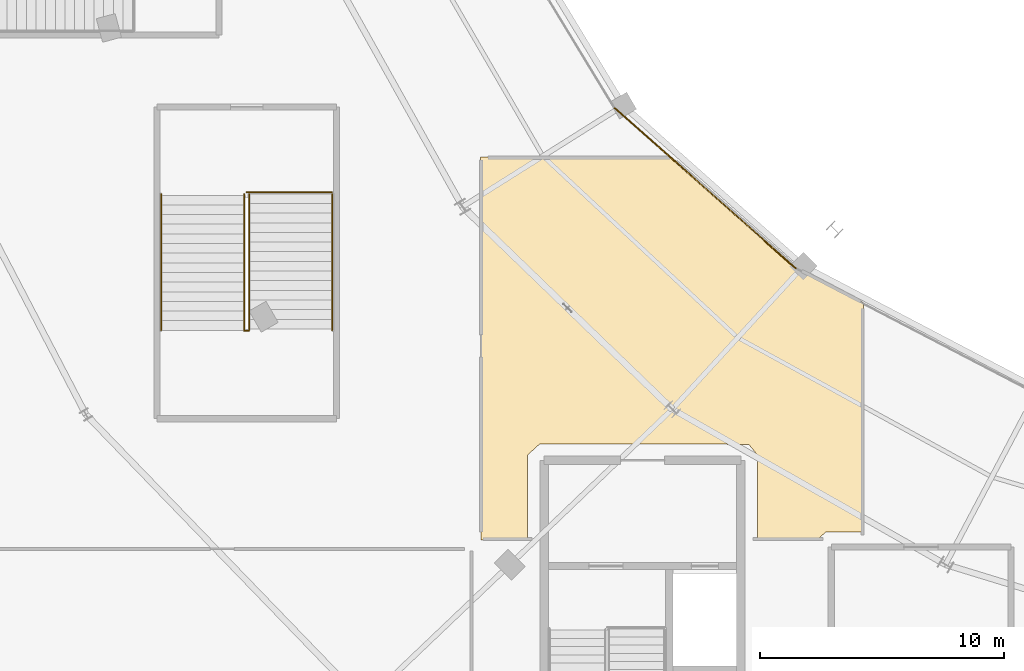
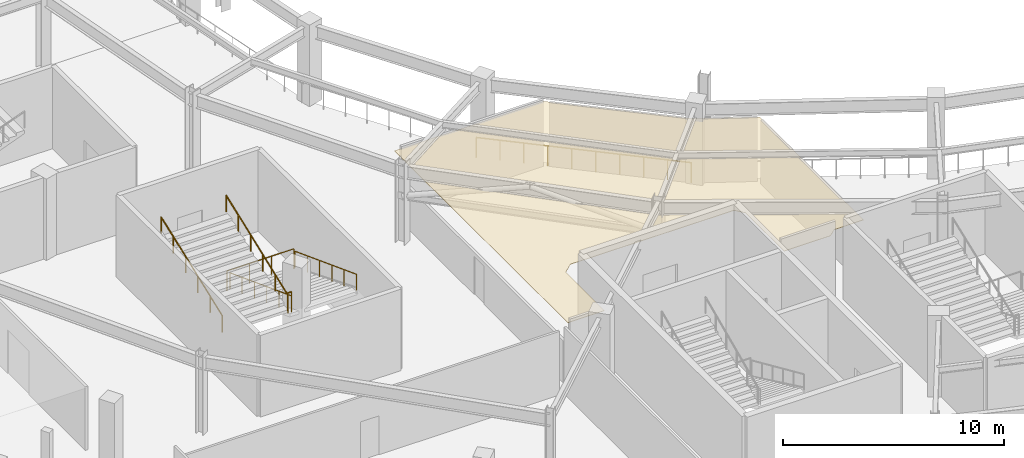
# One storey, part 90 of 107: 7 railings, 1 covering.
"""IFC4 building model written with IfcOpenShell, lengths in metres."""

from ifc_helpers import new_model, si_unit, direction, frame, origin, origin_2d, place, context, subcontext, project, spatial, polyline, circle, outline, extrude, material, layer, layer_set, type_object, element, save


model = new_model("IFC4")

# Units and contexts
model_context = context("Model", 3, precision=1e-05, world=origin(), true_north=direction((0.0, 1.0)))
body_context = subcontext(model_context, "Body", "Model", "MODEL_VIEW")
ifc_project = project(units=[si_unit("LENGTHUNIT", "METRE"), si_unit("AREAUNIT", "SQUARE_METRE"), si_unit("VOLUMEUNIT", "CUBIC_METRE"), si_unit("PLANEANGLEUNIT", "RADIAN"), si_unit("MASSUNIT", "GRAM", prefix="KILO")], contexts=[model_context])

# Site, building, storey
site_placement = place(None, origin())
site = spatial("IfcSite", under=ifc_project, at=site_placement, CompositionType="ELEMENT")
building_placement = place(site_placement, origin())
building = spatial("IfcBuilding", under=site, at=building_placement, Name="Kalgoora Escarpment Arena", CompositionType="ELEMENT")
storey_placement = place(building_placement, frame((0.0, 0.0, 5.39990234375)))
storey = spatial("IfcBuildingStorey", under=building, at=storey_placement, Name="L01", CompositionType="ELEMENT", Elevation=5.39990234375)

# Covering
ifc_material_1 = material(Name="Perforated acoustic mineral-fibre ceiling tile")
ifc_layer = layer(ifc_material_1, 0.02490234375)
ifc_layer_set = layer_set([ifc_layer], Name="COV-CEIL-ACOUSTIC")
covering_type = type_object("IfcCoveringType", Name="COV-CEIL-ACOUSTIC", PredefinedType="CEILING", material=ifc_layer_set)
covering_placement = place(storey_placement, frame((0.0, 0.0, 3.47998046875)))
element("IfcCovering", 1, at=covering_placement, inside=storey, type_object=covering_type, Name="L01 Escarpment Bistro Bar acoustic suspended ceiling", PredefinedType="CEILING", context=body_context, shape_type="SweptSolid", body=[
    extrude(outline(polyline([(46.39599609375, 30.360107421875), (46.377685546875, 46.033203125), (54.185302734375, 46.0400390625), (59.335693359375, 41.490478515625), (62.039794921875, 40.081787109375), (62.0400390625, 30.699951171875), (60.50244140625, 30.6904296875), (60.126708984375, 30.360107421875), (57.699951171875, 30.360107421875), (57.697509765625, 33.84912109375), (57.34521484375, 34.278564453125), (48.800048828125, 34.300048828125), (48.302490234375, 33.84912109375), (48.300048828125, 30.360107421875), (46.39599609375, 30.360107421875)])), origin(), (0.0, 0.0, 1.0), 0.025146484375),
])

# Railings
ifc_material_2 = material(Name="Galvanised & powdercoated tubular steel", Category="steel")
railing_type_1 = type_object("IfcRailingType", Name="RAL-GUARD-1120", PredefinedType="GUARDRAIL", material=ifc_material_2)
railing_1_placement = place(storey_placement, frame((36.889892578125, 38.919921875, 2.25)))
element("IfcRailing", 2, at=railing_1_placement, inside=storey, type_object=railing_type_1, Name="ST20 L01 half-landing well guard", PredefinedType="GUARDRAIL", context=body_context, shape_type="SweptSolid", body=[
    extrude(circle(Radius=0.02392578125, at=origin_2d()), frame((0.0, 0.0, 1.09619140625), z_axis=(-1.0, 0.0, 0.0), x_axis=(0.0, -1.0, 0.0)), (0.0, 0.0, 1.0), 0.179931640625),
    extrude(circle(Radius=0.02099609375, at=origin_2d()), origin(), (0.0, 0.0, 1.0), 1.072021484375),
    extrude(circle(Radius=0.02099609375, at=origin_2d()), frame((-0.179931640625, 0.0, 0.0)), (0.0, 0.0, 1.0), 1.072021484375),
])
railing_2_placement = place(storey_placement, frame((40.2900390625, 44.590087890625, 0.0)))
element("IfcRailing", 3, at=railing_2_placement, inside=storey, type_object=railing_type_1, Name="ST20 L01 floor landing well guard", PredefinedType="GUARDRAIL", context=body_context, shape_type="SweptSolid", body=[
    extrude(circle(Radius=0.02392578125, at=origin_2d()), frame((0.0, 0.0, 1.09619140625), z_axis=(-1.0, 0.0, 0.0), x_axis=(0.0, -1.0, 0.0)), (0.0, 0.0, 1.0), 3.489990234375),
    extrude(circle(Radius=0.02099609375, at=origin_2d()), origin(), (0.0, 0.0, 1.0), 1.072021484375),
    extrude(circle(Radius=0.02099609375, at=origin_2d()), frame((-1.163330078125, 0.0, 0.0)), (0.0, 0.0, 1.0), 1.072021484375),
    extrude(circle(Radius=0.02099609375, at=origin_2d()), frame((-2.32666015625, 0.0, 0.0)), (0.0, 0.0, 1.0), 1.072021484375),
    extrude(circle(Radius=0.02099609375, at=origin_2d()), frame((-3.489990234375, 0.0, 0.0)), (0.0, 0.0, 1.0), 1.072021484375),
])
railing_3_placement = place(storey_placement, frame((51.82666015625, 48.074951171875, 0.0)))
element("IfcRailing", 4, at=railing_3_placement, inside=storey, type_object=railing_type_1, Name="L01 concourse bowl balustrade 15", PredefinedType="GUARDRAIL", context=body_context, shape_type="SweptSolid", body=[
    extrude(circle(Radius=0.02392578125, at=origin_2d()), frame((0.0, 0.0, 1.09619140625), z_axis=(0.748487582417, -0.663148806051, 0.0), x_axis=(0.663148806051, 0.748487582417, 0.0)), (0.0, 0.0, 1.0), 9.947021484375),
    extrude(circle(Radius=0.02099609375, at=origin_2d()), origin(), (0.0, 0.0, 1.0), 1.072021484375),
    extrude(circle(Radius=0.02099609375, at=origin_2d()), frame((0.8271484375, -0.73291015625, 0.0)), (0.0, 0.0, 1.0), 1.072021484375),
    extrude(circle(Radius=0.02099609375, at=origin_2d()), frame((1.654541015625, -1.4658203125, 0.0)), (0.0, 0.0, 1.0), 1.072021484375),
    extrude(circle(Radius=0.02099609375, at=origin_2d()), frame((2.481689453125, -2.19873046875, 0.0)), (0.0, 0.0, 1.0), 1.072021484375),
    extrude(circle(Radius=0.02099609375, at=origin_2d()), frame((3.30908203125, -2.931640625, 0.0)), (0.0, 0.0, 1.0), 1.072021484375),
    extrude(circle(Radius=0.02099609375, at=origin_2d()), frame((4.13623046875, -3.664794921875, 0.0)), (0.0, 0.0, 1.0), 1.072021484375),
    extrude(circle(Radius=0.02099609375, at=origin_2d()), frame((4.963623046875, -4.397705078125, 0.0)), (0.0, 0.0, 1.0), 1.072021484375),
    extrude(circle(Radius=0.02099609375, at=origin_2d()), frame((5.790771484375, -5.130615234375, 0.0)), (0.0, 0.0, 1.0), 1.072021484375),
    extrude(circle(Radius=0.02099609375, at=origin_2d()), frame((6.6181640625, -5.863525390625, 0.0)), (0.0, 0.0, 1.0), 1.072021484375),
    extrude(circle(Radius=0.02099609375, at=origin_2d()), frame((7.4453125, -6.596435546875, 0.0)), (0.0, 0.0, 1.0), 1.072021484375),
])
ifc_material_3 = material(Name="Brushed stainless steel 316 handrail", Category="steel")
railing_type_2 = type_object("IfcRailingType", Name="RAL-HAND-920", PredefinedType="HANDRAIL", material=ifc_material_3)
for number, where, name in (
    (5, (40.300048828125, 44.510009765625, 0.110107421875), "ST20 L01 pitched stair handrail F1L"),
    (6, (36.89990234375, 44.510009765625, 0.110107421875), "ST20 L01 pitched stair handrail F1R"),
):
    element("IfcRailing", number, at=place(storey_placement, frame(where)), inside=storey, type_object=railing_type_2, Name=name, PredefinedType="HANDRAIL", context=body_context, shape_type="SweptSolid", body=[
        extrude(circle(Radius=0.02392578125, at=origin_2d()), frame((0.0, 0.0, 0.89599609375), z_axis=(0.0, -0.935492612948, 0.353346248203), x_axis=(1.0, 0.0, 0.0)), (0.0, 0.0, 1.0), 5.943359375),
        extrude(circle(Radius=0.02099609375, at=origin_2d()), origin(), (0.0, 0.0, 1.0), 0.871826171875),
        extrude(circle(Radius=0.02099609375, at=origin_2d()), frame((0.0, -1.112060546875, 0.419921875)), (0.0, 0.0, 1.0), 0.871826171875),
        extrude(circle(Radius=0.02099609375, at=origin_2d()), frame((0.0, -2.22412109375, 0.840087890625)), (0.0, 0.0, 1.0), 0.871826171875),
        extrude(circle(Radius=0.02099609375, at=origin_2d()), frame((0.0, -3.3359375, 1.260009765625)), (0.0, 0.0, 1.0), 0.871826171875),
        extrude(circle(Radius=0.02099609375, at=origin_2d()), frame((0.0, -4.447998046875, 1.68017578125)), (0.0, 0.0, 1.0), 0.871826171875),
        extrude(circle(Radius=0.02099609375, at=origin_2d()), frame((0.0, -5.56005859375, 2.10009765625)), (0.0, 0.0, 1.0), 0.871826171875),
    ])
for number, where, name in (
    (7, (36.699951171875, 38.949951171875, 2.360107421875), "ST20 L01 pitched stair handrail F2L"),
    (8, (33.300048828125, 38.949951171875, 2.360107421875), "ST20 L01 pitched stair handrail F2R"),
):
    element("IfcRailing", number, at=place(storey_placement, frame(where)), inside=storey, type_object=railing_type_2, Name=name, PredefinedType="HANDRAIL", context=body_context, shape_type="SweptSolid", body=[
        extrude(circle(Radius=0.02392578125, at=origin_2d()), frame((0.0, 0.0, 0.89599609375), z_axis=(0.0, 0.935492612948, 0.353346248203), x_axis=(-1.0, 0.0, 0.0)), (0.0, 0.0, 1.0), 5.943359375),
        extrude(circle(Radius=0.02099609375, at=origin_2d()), origin(), (0.0, 0.0, 1.0), 0.871826171875),
        extrude(circle(Radius=0.02099609375, at=origin_2d()), frame((0.0, 1.112060546875, 0.419921875)), (0.0, 0.0, 1.0), 0.871826171875),
        extrude(circle(Radius=0.02099609375, at=origin_2d()), frame((0.0, 2.22412109375, 0.840087890625)), (0.0, 0.0, 1.0), 0.871826171875),
        extrude(circle(Radius=0.02099609375, at=origin_2d()), frame((0.0, 3.3359375, 1.260009765625)), (0.0, 0.0, 1.0), 0.871826171875),
        extrude(circle(Radius=0.02099609375, at=origin_2d()), frame((0.0, 4.447998046875, 1.68017578125)), (0.0, 0.0, 1.0), 0.871826171875),
        extrude(circle(Radius=0.02099609375, at=origin_2d()), frame((0.0, 5.56005859375, 2.10009765625)), (0.0, 0.0, 1.0), 0.871826171875),
    ])

save(model, "model.ifc")
